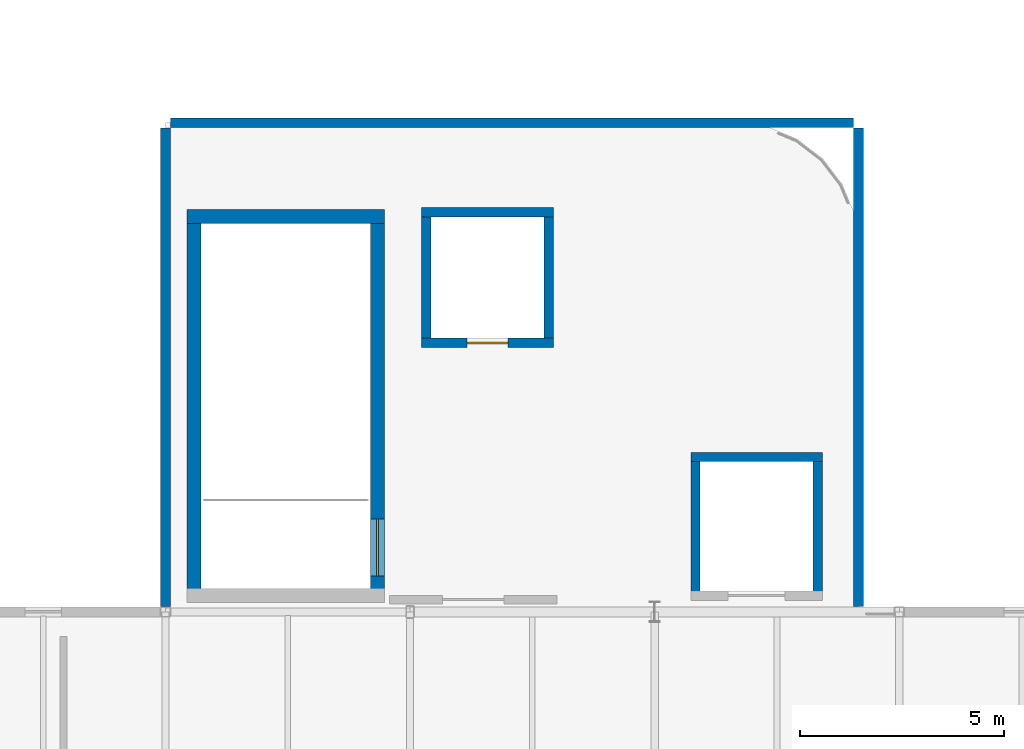
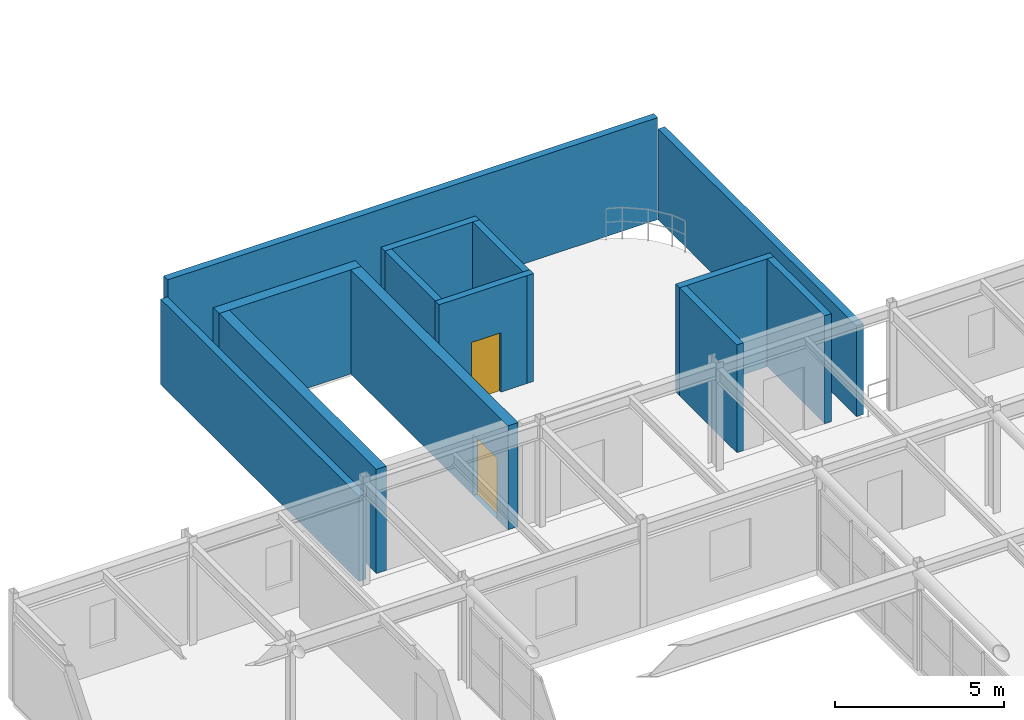
# One storey, part 50 of 63: 13 walls, 2 doors, 2 openings.
"""IFC4 building model written with IfcOpenShell, lengths in metres."""

from ifc_helpers import new_model, si_unit, direction, frame, frame_2d, origin, place, context, subcontext, project, spatial, rectangle, extrude, material, layer, layer_set, type_object, element, fill, save


model = new_model("IFC4")

# Units and contexts
model_context = context("Model", 3, precision=1e-05, world=origin(), true_north=direction((0.0, 1.0)))
body_context = subcontext(model_context, "Body", "Model", "MODEL_VIEW")
ifc_project = project(units=[si_unit("LENGTHUNIT", "METRE"), si_unit("AREAUNIT", "SQUARE_METRE"), si_unit("VOLUMEUNIT", "CUBIC_METRE"), si_unit("PLANEANGLEUNIT", "RADIAN"), si_unit("MASSUNIT", "GRAM", prefix="KILO")], contexts=[model_context])

# Site, building, storey
site_placement = place(None, origin())
site = spatial("IfcSite", under=ifc_project, at=site_placement, CompositionType="ELEMENT")
building_placement = place(site_placement, origin())
building = spatial("IfcBuilding", under=site, at=building_placement, Name="Varnakota Square Police Headquarters", CompositionType="ELEMENT")
storey_placement = place(building_placement, frame((0.0, 0.0, 22.199951171875)))
storey = spatial("IfcBuildingStorey", under=building, at=storey_placement, Name="L05", CompositionType="ELEMENT", Elevation=22.199951171875)

# Wall, opening, door
ifc_material_1 = material(Name="Concrete M40", Category="concrete")
ifc_layer_1 = layer(ifc_material_1, 0.22998046875, Name="Concrete M40")
ifc_layer_set_1 = layer_set([ifc_layer_1], Name="Concrete M40")
wall_type_1 = type_object("IfcWallType", Name="WL-CORE-230", PredefinedType="SHEAR", material=ifc_layer_set_1)
wall_1_placement = place(storey_placement, frame((24.284912109375, 69.60009765625, 0.0), z_axis=(0.0, 0.0, 1.0), x_axis=(1.0, 0.0, 0.0)))
wall_1 = element("IfcWall", 1, at=wall_1_placement, inside=storey, type_object=wall_type_1, Name="Lift shaft wall LF-P3 L05 S", PredefinedType="SHEAR", context=body_context, shape_type="SweptSolid", body=[
    extrude(rectangle(XDim=3.22998046875, YDim=0.22998046875, at=frame_2d((1.614990234375, 0.0))), origin(), (0.0, 0.0, 1.0), 3.900146484375),
])
opening_1_placement = place(wall_1_placement, frame((1.114990234375, 0.0, 0.0)))
opening_1 = element("IfcOpeningElement", 2, at=opening_1_placement, cuts=wall_1, Name="Opening LD037", PredefinedType="OPENING", context=body_context, shape_type="SweptSolid", body=[
    extrude(rectangle(XDim=1.0, YDim=2.14990234375, at=frame_2d((0.5, 1.074951171875))), frame((0.0, 0.125, 0.0), z_axis=(0.0, -1.0, 0.0), x_axis=(1.0, 0.0, 0.0)), (0.0, 0.0, 1.0), 0.25),
])
ifc_material_2 = material(Name="Brushed Grade 316 Stainless Steel", Category="steel")
door_type_1 = type_object("IfcDoorType", Name="DR-LD-PAX", OperationType="NOTDEFINED", PredefinedType="DOOR", material=ifc_material_2)
door_1_placement = place(opening_1_placement, origin())
door_1 = element("IfcDoor", 3, at=door_1_placement, inside=storey, type_object=door_type_1, Name="Lift sliding landing door LD037", OperationType="SLIDING_TO_LEFT", OverallHeight=2.14990234375, OverallWidth=1.0, PredefinedType="DOOR", context=body_context, shape_type="SweptSolid", body=[
    extrude(rectangle(XDim=1.0, YDim=2.14990234375, at=frame_2d((0.5, 1.074951171875))), frame((0.0, 0.02490234375, 0.0), z_axis=(0.0, -1.0, 0.0), x_axis=(1.0, 0.0, 0.0)), (0.0, 0.0, 1.0), 0.050048828125),
])
fill(opening_1, door_1)

# Walls
wall_2_placement = place(storey_placement, frame((27.39990234375, 69.485107421875, 0.0), z_axis=(0.0, 0.0, 1.0), x_axis=(0.0, 1.0, 0.0)))
element("IfcWall", 4, at=wall_2_placement, inside=storey, type_object=wall_type_1, Name="Lift shaft wall LF-P3 L05 E", PredefinedType="SHEAR", context=body_context, shape_type="SweptSolid", body=[
    extrude(rectangle(XDim=3.429931640625, YDim=0.22998046875, at=frame_2d((1.71484375, 0.0))), origin(), (0.0, 0.0, 1.0), 3.900146484375),
])
wall_3_placement = place(storey_placement, frame((27.514892578125, 72.800048828125, 0.0), z_axis=(0.0, 0.0, 1.0), x_axis=(-1.0, 0.0, 0.0)))
element("IfcWall", 5, at=wall_3_placement, inside=storey, type_object=wall_type_1, Name="Lift shaft wall LF-P3 L05 N", PredefinedType="SHEAR", context=body_context, shape_type="SweptSolid", body=[
    extrude(rectangle(XDim=3.22998046875, YDim=0.22998046875, at=frame_2d((1.614990234375, 0.0))), origin(), (0.0, 0.0, 1.0), 3.900146484375),
])
wall_4_placement = place(storey_placement, frame((24.39990234375, 72.9150390625, 0.0), z_axis=(0.0, 0.0, 1.0), x_axis=(0.0, -1.0, 0.0)))
element("IfcWall", 6, at=wall_4_placement, inside=storey, type_object=wall_type_1, Name="Lift shaft wall LF-P3 L05 W", PredefinedType="SHEAR", context=body_context, shape_type="SweptSolid", body=[
    extrude(rectangle(XDim=3.429931640625, YDim=0.22998046875, at=frame_2d((1.71484375, 0.0))), origin(), (0.0, 0.0, 1.0), 3.900146484375),
])
wall_5_placement = place(storey_placement, frame((34.0, 63.284912109375, 0.0), z_axis=(0.0, 0.0, 1.0), x_axis=(0.0, 1.0, 0.0)))
element("IfcWall", 7, at=wall_5_placement, inside=storey, type_object=wall_type_1, Name="Lift shaft wall LF-G1 L05 E", PredefinedType="SHEAR", context=body_context, shape_type="SweptSolid", body=[
    extrude(rectangle(XDim=3.630126953125, YDim=0.22998046875, at=frame_2d((1.81494140625, 0.0))), origin(), (0.0, 0.0, 1.0), 3.900146484375),
])
wall_6_placement = place(storey_placement, frame((34.114990234375, 66.800048828125, 0.0), z_axis=(0.0, 0.0, 1.0), x_axis=(-1.0, 0.0, 0.0)))
element("IfcWall", 8, at=wall_6_placement, inside=storey, type_object=wall_type_1, Name="Lift shaft wall LF-G1 L05 N", PredefinedType="SHEAR", context=body_context, shape_type="SweptSolid", body=[
    extrude(rectangle(XDim=3.22998046875, YDim=0.22998046875, at=frame_2d((1.614990234375, 0.0))), origin(), (0.0, 0.0, 1.0), 3.900146484375),
])
wall_7_placement = place(storey_placement, frame((31.0, 66.9150390625, 0.0), z_axis=(0.0, 0.0, 1.0), x_axis=(0.0, -1.0, 0.0)))
element("IfcWall", 9, at=wall_7_placement, inside=storey, type_object=wall_type_1, Name="Lift shaft wall LF-G1 L05 W", PredefinedType="SHEAR", context=body_context, shape_type="SweptSolid", body=[
    extrude(rectangle(XDim=3.630126953125, YDim=0.22998046875, at=frame_2d((1.81494140625, 0.0))), origin(), (0.0, 0.0, 1.0), 3.900146484375),
])

# Wall, opening, door
ifc_material_3 = material(Name="Concrete M50", Category="concrete")
ifc_layer_2 = layer(ifc_material_3, 0.35009765625, Name="Concrete M50")
ifc_layer_set_2 = layer_set([ifc_layer_2], Name="Concrete M50")
wall_type_2 = type_object("IfcWallType", Name="WL-CORE-350", PredefinedType="SHEAR", material=ifc_layer_set_2)
wall_8_placement = place(storey_placement, frame((23.199951171875, 63.22509765625, 0.0), z_axis=(0.0, 0.0, 1.0), x_axis=(0.0, 1.0, 0.0)))
wall_8 = element("IfcWall", 10, at=wall_8_placement, inside=storey, type_object=wall_type_2, Name="Core C5 shear wall L05 E", PredefinedType="SHEAR", context=body_context, shape_type="SweptSolid", body=[
    extrude(rectangle(XDim=9.64990234375, YDim=0.35009765625, at=frame_2d((4.824951171875, 0.0))), origin(), (0.0, 0.0, 1.0), 3.760009765625),
])
opening_2_placement = place(wall_8_placement, frame((0.655029296875, 0.0, 0.0)))
opening_2 = element("IfcOpeningElement", 11, at=opening_2_placement, cuts=wall_8, Name="Opening SD083", PredefinedType="OPENING", context=body_context, shape_type="SweptSolid", body=[
    extrude(rectangle(XDim=1.39990234375, YDim=2.199951171875, at=frame_2d((0.699951171875, 1.10009765625))), frame((0.0, 0.18505859375, 0.0), z_axis=(0.0, -1.0, 0.0), x_axis=(1.0, 0.0, 0.0)), (0.0, 0.0, 1.0), 0.3701171875),
])
ifc_material_4 = material(Name="Powder-Coated Galvanised Steel", Category="steel")
door_type_2 = type_object("IfcDoorType", Name="DR-ST-140", OperationType="NOTDEFINED", PredefinedType="DOOR", material=ifc_material_4)
door_2_placement = place(opening_2_placement, origin())
door_2 = element("IfcDoor", 12, at=door_2_placement, inside=storey, type_object=door_type_2, Name="Protected stair door SD083", OperationType="DOUBLE_DOOR_SINGLE_SWING", OverallHeight=2.199951171875, OverallWidth=1.39990234375, PredefinedType="DOOR", context=body_context, shape_type="SweptSolid", body=[
    extrude(rectangle(XDim=1.39990234375, YDim=2.199951171875, at=frame_2d((0.699951171875, 1.10009765625))), frame((0.0, 0.02490234375, 0.0), z_axis=(0.0, -1.0, 0.0), x_axis=(1.0, 0.0, 0.0)), (0.0, 0.0, 1.0), 0.050048828125),
])
fill(opening_2, door_2)

# Walls
wall_9_placement = place(storey_placement, frame((23.375, 72.699951171875, 0.0), z_axis=(0.0, 0.0, 1.0), x_axis=(-1.0, 0.0, 0.0)))
element("IfcWall", 13, at=wall_9_placement, inside=storey, type_object=wall_type_2, Name="Core C5 shear wall L05 N", PredefinedType="SHEAR", context=body_context, shape_type="SweptSolid", body=[
    extrude(rectangle(XDim=4.85009765625, YDim=0.35009765625, at=frame_2d((2.425048828125, 0.0))), origin(), (0.0, 0.0, 1.0), 3.760009765625),
])
wall_10_placement = place(storey_placement, frame((18.699951171875, 72.875, 0.0), z_axis=(0.0, 0.0, 1.0), x_axis=(0.0, -1.0, 0.0)))
element("IfcWall", 14, at=wall_10_placement, inside=storey, type_object=wall_type_2, Name="Core C5 shear wall L05 W", PredefinedType="SHEAR", context=body_context, shape_type="SweptSolid", body=[
    extrude(rectangle(XDim=9.64990234375, YDim=0.35009765625, at=frame_2d((4.824951171875, 0.0))), origin(), (0.0, 0.0, 1.0), 3.760009765625),
])
ifc_layer_3 = layer(ifc_material_1, 0.239990234375, Name="Concrete M40")
ifc_layer_set_3 = layer_set([ifc_layer_3], Name="Concrete M40")
wall_type_3 = type_object("IfcWallType", Name="WL-EXT-240", PredefinedType="SOLIDWALL", material=ifc_layer_set_3)
wall_11_placement = place(storey_placement, frame((18.12890625, 75.0, 0.0), z_axis=(0.0, 0.0, 1.0), x_axis=(1.0, 0.0, 0.0)))
element("IfcWall", 15, at=wall_11_placement, inside=storey, type_object=wall_type_3, Name="L05 Core C5 lobby enclosure", PredefinedType="SOLIDWALL", context=body_context, shape_type="SweptSolid", body=[
    extrude(rectangle(XDim=16.74609375, YDim=0.239990234375, at=frame_2d((8.373046875, 0.0))), origin(), (0.0, 0.0, 1.0), 3.68505859375),
])
wall_12_placement = place(storey_placement, frame((35.0, 63.12890625, 0.0), z_axis=(0.0, 0.0, 1.0), x_axis=(0.0, 1.0, 0.0)))
element("IfcWall", 16, at=wall_12_placement, inside=storey, type_object=wall_type_3, Name="L05 Core C5 lobby enclosure", PredefinedType="SOLIDWALL", context=body_context, shape_type="SweptSolid", body=[
    extrude(rectangle(XDim=11.74609375, YDim=0.239990234375, at=frame_2d((5.873046875, 0.0))), origin(), (0.0, 0.0, 1.0), 3.280029296875),
])
wall_13_placement = place(storey_placement, frame((18.0, 63.12890625, 0.0), z_axis=(0.0, 0.0, 1.0), x_axis=(0.0, 1.0, 0.0)))
element("IfcWall", 17, at=wall_13_placement, inside=storey, type_object=wall_type_3, Name="L05 Core C5 lobby enclosure", PredefinedType="SOLIDWALL", context=body_context, shape_type="SweptSolid", body=[
    extrude(rectangle(XDim=11.74609375, YDim=0.239990234375, at=frame_2d((5.873046875, 0.0))), origin(), (0.0, 0.0, 1.0), 3.080078125),
])

save(model, "model.ifc")
